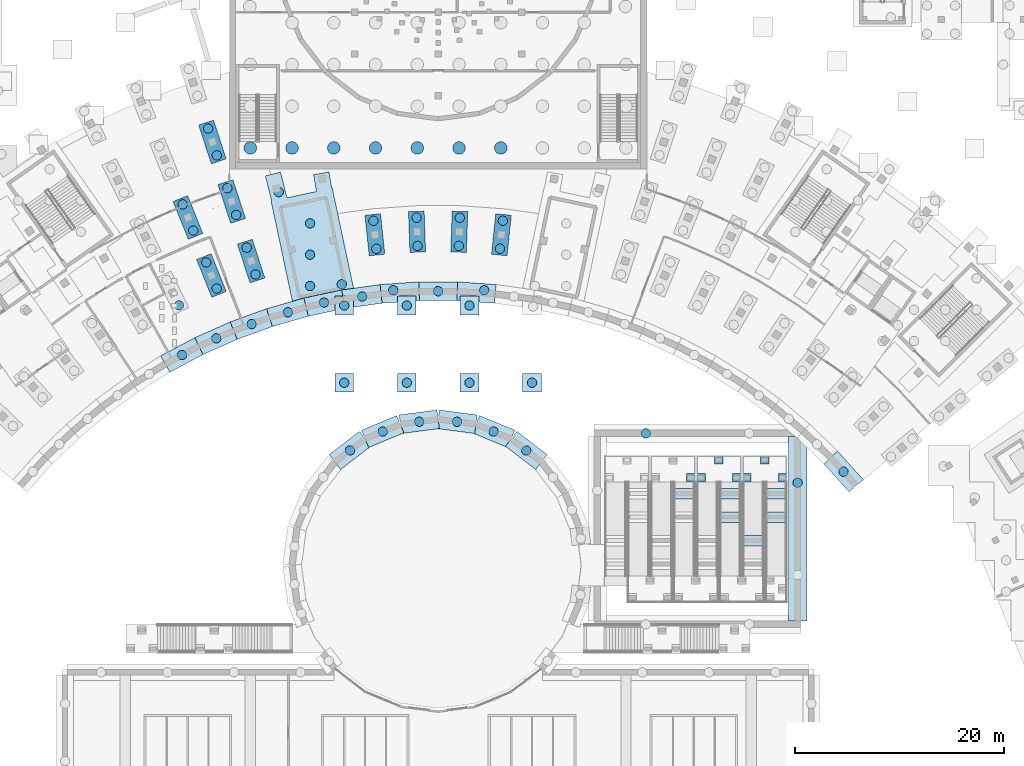
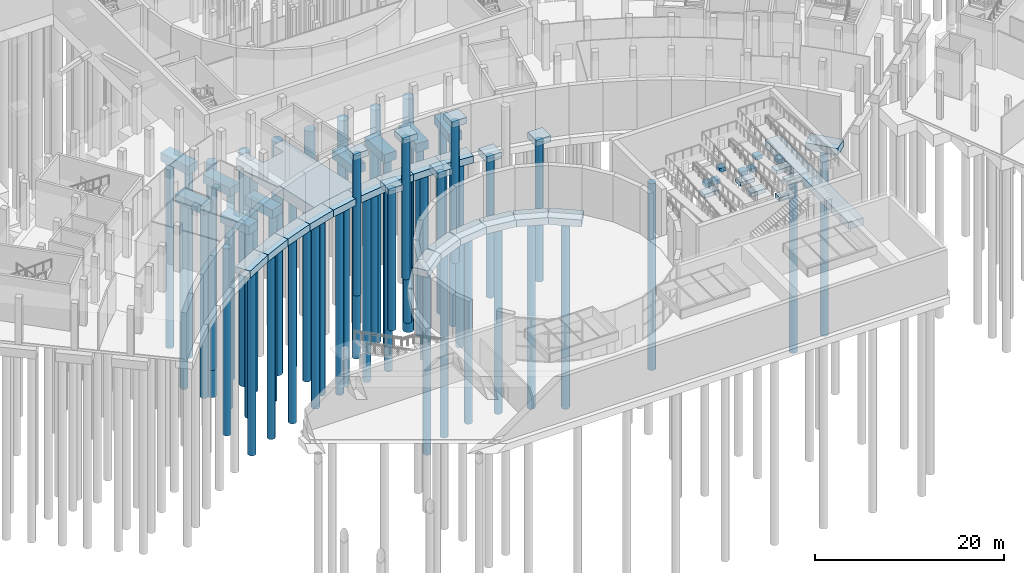
# One storey, part 3 of 66: 56 piles, 47 footings.
"""IFC4 building model written with IfcOpenShell, lengths in metres."""

from ifc_helpers import new_model, si_unit, direction, frame, origin, origin_2d, place, context, subcontext, project, spatial, polyline, circle, outline, extrude, material, material_profile, profile_set, type_object, element, save


model = new_model("IFC4")

# Units and contexts
model_context = context("Model", 3, precision=1e-05, world=origin(), true_north=direction((0.0, 1.0)))
body_context = subcontext(model_context, "Body", "Model", "MODEL_VIEW")
ifc_project = project(units=[si_unit("LENGTHUNIT", "METRE"), si_unit("AREAUNIT", "SQUARE_METRE"), si_unit("VOLUMEUNIT", "CUBIC_METRE"), si_unit("PLANEANGLEUNIT", "RADIAN"), si_unit("MASSUNIT", "GRAM", prefix="KILO")], contexts=[model_context])

# Site, building, storey
site_placement = place(None, origin())
site = spatial("IfcSite", under=ifc_project, at=site_placement, CompositionType="ELEMENT")
building_placement = place(site_placement, origin())
building = spatial("IfcBuilding", under=site, at=building_placement, Name="Lunette Opera House", CompositionType="ELEMENT")
storey_placement = place(building_placement, frame((0.0, 0.0, -6.0)))
storey = spatial("IfcBuildingStorey", under=building, at=storey_placement, Name="B1", CompositionType="ELEMENT", Elevation=-6.0)

# Piles
ifc_material_1 = material(Name="Concrete C40/50", Category="concrete")
ifc_material_profile_1 = material_profile(ifc_material_1, circle(Radius=0.60009765625, at=origin_2d()), Name="BORED PILE 1200")
ifc_profile_set_1 = profile_set([ifc_material_profile_1], Name="Concrete C40/50")
pile_type_1 = type_object("IfcPileType", Name="BORED PILE 1200", PredefinedType="BORED", material=ifc_profile_set_1)
for number, where, z_axis, x_axis, name in (
    (1, (78.0, 66.0, -1.800048828125), (0.0, 0.0, -1.0), (1.0, 0.0, 0.0), "pile-AU-R1-01"),
    (2, (82.0, 66.0, -1.800048828125), (0.0, 0.0, -1.0), (1.0, 0.0, 0.0), "pile-AU-R1-09"),
    (3, (86.0, 66.0, -1.800048828125), (0.0, 0.0, -1.0), (1.0, 0.0, 0.0), "pile-AU-R1-17"),
    (4, (90.0, 66.0, -1.800048828125), (0.0, 0.0, -1.0), (1.0, 0.0, 0.0), "pile-AU-R1-25"),
    (5, (94.0, 66.0, -1.800048828125), (0.0, 0.0, -1.0), (1.0, 0.0, 0.0), "pile-AU-R1-33"),
    (6, (98.0, 66.0, -1.800048828125), (0.0, 0.0, -1.0), (1.0, 0.0, 0.0), "pile-AU-R1-41"),
    (7, (102.0, 66.0, -1.800048828125), (0.0, 0.0, -1.0), (1.0, 0.0, 0.0), "pile-AU-R1-49"),
):
    element("IfcPile", number, at=place(storey_placement, frame(where, z_axis=z_axis, x_axis=x_axis)), inside=storey, type_object=pile_type_1, Name=name, PredefinedType="BORED", context=body_context, shape_type="SweptSolid", body=[
        extrude(circle(Radius=0.60009765625, at=origin_2d()), origin(), (0.0, 0.0, 1.0), 30.10009765625),
    ])
ifc_material_2 = material(Name="Concrete C40/50", Category="concrete")
ifc_material_profile_2 = material_profile(ifc_material_2, circle(Radius=0.449951171875, at=origin_2d()), Name="BORED PILE 900")
ifc_profile_set_2 = profile_set([ifc_material_profile_2], Name="Concrete C40/50")
pile_type_2 = type_object("IfcPileType", Name="BORED PILE 900", PredefinedType="BORED", material=ifc_profile_set_2)
for number, where, z_axis, x_axis, name in (
    (8, (71.166015625, 50.9169921875, -1.300048828125), (0.0, 0.0, -1.0), (1.0, 0.0, 0.0), "pile-FC-CAP007-A"),
    (9, (74.779052734375, 52.52490234375, -1.300048828125), (0.0, 0.0, -1.0), (1.0, 0.0, 0.0), "pile-FC-CAP008-A"),
    (10, (73.76708984375, 55.029052734375, -1.300048828125), (0.0, 0.0, -1.0), (1.0, 0.0, 0.0), "pile-FC-CAP008-B"),
    (11, (78.493896484375, 53.876953125, -1.300048828125), (0.0, 0.0, -1.0), (1.0, 0.0, 0.0), "pile-FC-CAP009-A"),
    (12, (77.659912109375, 56.445068359375, -1.300048828125), (0.0, 0.0, -1.0), (1.0, 0.0, 0.0), "pile-FC-CAP009-B"),
    (13, (90.077880859375, 56.339111328125, -1.300048828125), (0.0, 0.0, -1.0), (1.0, 0.0, 0.0), "pile-FC-CAP010-A"),
    (14, (89.7958984375, 59.02490234375, -1.300048828125), (0.0, 0.0, -1.0), (1.0, 0.0, 0.0), "pile-FC-CAP010-B"),
    (15, (94.02294921875, 56.615966796875, -1.300048828125), (0.0, 0.0, -1.0), (1.0, 0.0, 0.0), "pile-FC-CAP011-A"),
    (16, (93.928955078125, 59.31396484375, -1.300048828125), (0.0, 0.0, -1.0), (1.0, 0.0, 0.0), "pile-FC-CAP011-B"),
    (17, (97.97705078125, 56.615966796875, -1.300048828125), (0.0, 0.0, -1.0), (1.0, 0.0, 0.0), "pile-FC-CAP012-A"),
    (18, (98.071044921875, 59.31396484375, -1.300048828125), (0.0, 0.0, -1.0), (1.0, 0.0, 0.0), "pile-FC-CAP012-B"),
    (19, (101.922119140625, 56.339111328125, -1.300048828125), (0.0, 0.0, -1.0), (1.0, 0.0, 0.0), "pile-FC-CAP013-A"),
    (20, (102.2041015625, 59.02490234375, -1.300048828125), (0.0, 0.0, -1.0), (1.0, 0.0, 0.0), "pile-FC-CAP013-B"),
    (21, (72.531005859375, 58.087890625, -1.300048828125), (0.0, 0.0, -1.0), (1.0, 0.0, 0.0), "pile-FC-CAP025-A"),
    (22, (71.51904296875, 60.592041015625, -1.300048828125), (0.0, 0.0, -1.0), (1.0, 0.0, 0.0), "pile-FC-CAP025-B"),
    (23, (76.639892578125, 59.583984375, -1.300048828125), (0.0, 0.0, -1.0), (1.0, 0.0, 0.0), "pile-FC-CAP026-A"),
    (24, (75.805908203125, 62.152099609375, -1.300048828125), (0.0, 0.0, -1.0), (1.0, 0.0, 0.0), "pile-FC-CAP026-B"),
    (25, (74.785888671875, 65.2900390625, -1.300048828125), (0.0, 0.0, -1.0), (1.0, 0.0, 0.0), "pile-FC-CAP034-A"),
    (26, (73.951904296875, 67.85791015625, -1.300048828125), (0.0, 0.0, -1.0), (1.0, 0.0, 0.0), "pile-FC-CAP034-B"),
    (27, (80.72607421875, 61.77099609375, -1.699951171875), (0.0, 0.0, -1.0), (1.0, 0.0, 0.0), "pile-FC-RAFT04-01"),
    (28, (83.72607421875, 52.77099609375, -1.699951171875), (0.0, 0.0, -1.0), (1.0, 0.0, 0.0), "pile-FC-RAFT04-02"),
    (29, (83.72607421875, 55.77099609375, -1.699951171875), (0.0, 0.0, -1.0), (1.0, 0.0, 0.0), "pile-FC-RAFT04-03"),
    (30, (83.72607421875, 58.77099609375, -1.699951171875), (0.0, 0.0, -1.0), (1.0, 0.0, 0.0), "pile-FC-RAFT04-04"),
    (31, (86.76611328125, 52.93798828125, -1.699951171875), (0.0, 0.0, -1.0), (1.0, 0.0, 0.0), "pile-FC-RAFT04-05"),
    (32, (71.458984375, 46.155029296875, -1.10009765625), (0.0, 0.0, -1.0), (1.0, 0.0, 0.0), "pile-FC-SF06-A"),
    (33, (74.739013671875, 47.75390625, -1.10009765625), (0.0, 0.0, -1.0), (1.0, 0.0, 0.0), "pile-FC-SF07-A"),
    (34, (78.1220703125, 49.12109375, -1.10009765625), (0.0, 0.0, -1.0), (1.0, 0.0, 0.0), "pile-FC-SF08-A"),
    (35, (81.592041015625, 50.248046875, -1.10009765625), (0.0, 0.0, -1.0), (1.0, 0.0, 0.0), "pile-FC-SF09-A"),
    (36, (85.06201171875, 51.179931640625, -1.10009765625), (0.0, 0.0, -1.0), (1.0, 0.0, 0.0), "pile-FC-SF10-A"),
    (37, (88.72509765625, 51.764892578125, -1.10009765625), (0.0, 0.0, -1.0), (1.0, 0.0, 0.0), "pile-FC-SF11-A"),
    (38, (91.700927734375, 52.35693359375, -1.10009765625), (0.0, 0.0, -1.0), (1.0, 0.0, 0.0), "pile-FC-SF12-A"),
    (39, (96.0, 52.27392578125, -1.10009765625), (0.0, 0.0, -1.0), (1.0, 0.0, 0.0), "pile-FC-SF13-A"),
    (40, (100.4140625, 52.35693359375, -1.10009765625), (0.0, 0.0, -1.0), (1.0, 0.0, 0.0), "pile-FC-SF14-A"),
    (41, (134.846923828125, 34.97802734375, -1.10009765625), (0.0, 0.0, -1.0), (1.0, 0.0, 0.0), "pile-FC-SF25-A"),
):
    element("IfcPile", number, at=place(storey_placement, frame(where, z_axis=z_axis, x_axis=x_axis)), inside=storey, type_object=pile_type_2, Name=name, PredefinedType="BORED", context=body_context, shape_type="SweptSolid", body=[
        extrude(circle(Radius=0.449951171875, at=origin_2d()), origin(), (0.0, 0.0, 1.0), 24.10009765625),
    ])
for number, where, z_axis, x_axis, name in (
    (42, (87.0, 43.5, 5.199951171875), (0.0, 0.0, -1.0), (1.0, 0.0, 0.0), "pile-EC-PAD1-1"),
    (43, (93.0, 43.5, 5.199951171875), (0.0, 0.0, -1.0), (1.0, 0.0, 0.0), "pile-EC-PAD2-1"),
    (44, (99.0, 43.5, 5.199951171875), (0.0, 0.0, -1.0), (1.0, 0.0, 0.0), "pile-EC-PAD3-1"),
    (45, (105.0, 43.5, 5.199951171875), (0.0, 0.0, -1.0), (1.0, 0.0, 0.0), "pile-EC-PAD4-1"),
    (46, (87.0, 50.89990234375, 5.199951171875), (0.0, 0.0, -1.0), (1.0, 0.0, 0.0), "pile-EC-PAD5-1"),
    (47, (93.0, 50.89990234375, 5.199951171875), (0.0, 0.0, -1.0), (1.0, 0.0, 0.0), "pile-EC-PAD6-1"),
    (48, (99.0, 50.89990234375, 5.199951171875), (0.0, 0.0, -1.0), (1.0, 0.0, 0.0), "pile-EC-PAD7-1"),
):
    element("IfcPile", number, at=place(storey_placement, frame(where, z_axis=z_axis, x_axis=x_axis)), inside=storey, type_object=pile_type_2, Name=name, PredefinedType="BORED", context=body_context, shape_type="SweptSolid", body=[
        extrude(circle(Radius=0.449951171875, at=origin_2d()), origin(), (0.0, 0.0, 1.0), 18.10009765625),
    ])
for number, where, z_axis, x_axis, name in (
    (49, (97.81103515625, 39.760986328125, -1.10009765625), (0.0, 0.0, -1.0), (1.0, 0.0, 0.0), "pile-SF-SFCCW01-1"),
    (50, (101.31103515625, 38.823974609375, -1.10009765625), (0.0, 0.0, -1.0), (1.0, 0.0, 0.0), "pile-SF-SFCCW02-1"),
    (51, (104.449951171875, 37.010986328125, -1.10009765625), (0.0, 0.0, -1.0), (1.0, 0.0, 0.0), "pile-SF-SFCCW03-1"),
    (52, (87.550048828125, 37.010986328125, -1.10009765625), (0.0, 0.0, -1.0), (1.0, 0.0, 0.0), "pile-SF-SFCCW22-1"),
    (53, (90.68896484375, 38.823974609375, -1.10009765625), (0.0, 0.0, -1.0), (1.0, 0.0, 0.0), "pile-SF-SFCCW23-1"),
    (54, (94.18896484375, 39.760986328125, -1.10009765625), (0.0, 0.0, -1.0), (1.0, 0.0, 0.0), "pile-SF-SFCCW24-1"),
    (55, (115.89990234375, 38.64990234375, -1.10009765625), (0.0, 0.0, -1.0), (1.0, 0.0, 0.0), "pile-SF-SFCRPN-1"),
    (56, (130.449951171875, 33.925048828125, -1.10009765625), (0.0, 0.0, -1.0), (1.0, 0.0, 0.0), "pile-SF-SFCRPE-2"),
):
    element("IfcPile", number, at=place(storey_placement, frame(where, z_axis=z_axis, x_axis=x_axis)), inside=storey, type_object=pile_type_2, Name=name, PredefinedType="BORED", context=body_context, shape_type="SweptSolid", body=[
        extrude(circle(Radius=0.449951171875, at=origin_2d()), origin(), (0.0, 0.0, 1.0), 24.10009765625),
    ])

# Footings
ifc_material_3 = material(Name="Concrete C40/50", Category="concrete")
footing_type_1 = type_object("IfcFootingType", Name="CORE RAFT 1500", PredefinedType="PILE_CAP", material=ifc_material_3)
footing_1_placement = place(storey_placement, frame((0.0, 0.0, -1.800048828125)))
element("IfcFooting", 57, at=footing_1_placement, inside=storey, type_object=footing_type_1, Name="ftg-FC-RAFT04", PredefinedType="PILE_CAP", context=body_context, shape_type="SweptSolid", body=[
    extrude(outline(polyline([(79.988037109375, 60.902099609375), (82.1298828125, 50.825927734375), (87.9990234375, 52.073974609375), (85.85693359375, 62.14990234375), (85.804931640625, 62.138916015625), (85.530029296875, 63.699951171875), (84.052978515625, 63.43896484375), (84.3369140625, 61.826904296875), (81.508056640625, 61.22509765625), (80.89404296875, 63.68701171875), (79.43798828125, 63.323974609375), (80.0400390625, 60.9130859375), (79.988037109375, 60.902099609375)])), origin(), (0.0, 0.0, 1.0), 1.5),
])
ifc_material_4 = material(Name="Concrete C35/45", Category="concrete")
footing_type_2 = type_object("IfcFootingType", Name="PAD FOOTING 1800X1800", PredefinedType="PAD_FOOTING", material=ifc_material_4)
footing_2_placement = place(storey_placement, frame((0.0, 0.0, 5.10009765625)))
element("IfcFooting", 58, at=footing_2_placement, inside=storey, type_object=footing_type_2, Name="ftg-EC-PAD1", PredefinedType="PAD_FOOTING", context=body_context, shape_type="SweptSolid", body=[
    extrude(outline(polyline([(87.89990234375, 42.60009765625), (87.89990234375, 44.39990234375), (86.10009765625, 44.39990234375), (86.10009765625, 42.60009765625), (87.89990234375, 42.60009765625)])), origin(), (0.0, 0.0, 1.0), 0.7998046875),
])
footing_3_placement = place(storey_placement, frame((0.0, 0.0, 5.10009765625)))
element("IfcFooting", 59, at=footing_3_placement, inside=storey, type_object=footing_type_2, Name="ftg-EC-PAD2", PredefinedType="PAD_FOOTING", context=body_context, shape_type="SweptSolid", body=[
    extrude(outline(polyline([(93.89990234375, 42.60009765625), (93.89990234375, 44.39990234375), (92.10009765625, 44.39990234375), (92.10009765625, 42.60009765625), (93.89990234375, 42.60009765625)])), origin(), (0.0, 0.0, 1.0), 0.7998046875),
])
footing_4_placement = place(storey_placement, frame((0.0, 0.0, 5.10009765625)))
element("IfcFooting", 60, at=footing_4_placement, inside=storey, type_object=footing_type_2, Name="ftg-EC-PAD3", PredefinedType="PAD_FOOTING", context=body_context, shape_type="SweptSolid", body=[
    extrude(outline(polyline([(99.89990234375, 42.60009765625), (99.89990234375, 44.39990234375), (98.10009765625, 44.39990234375), (98.10009765625, 42.60009765625), (99.89990234375, 42.60009765625)])), origin(), (0.0, 0.0, 1.0), 0.7998046875),
])
footing_5_placement = place(storey_placement, frame((0.0, 0.0, 5.10009765625)))
element("IfcFooting", 61, at=footing_5_placement, inside=storey, type_object=footing_type_2, Name="ftg-EC-PAD4", PredefinedType="PAD_FOOTING", context=body_context, shape_type="SweptSolid", body=[
    extrude(outline(polyline([(105.89990234375, 42.60009765625), (105.89990234375, 44.39990234375), (104.10009765625, 44.39990234375), (104.10009765625, 42.60009765625), (105.89990234375, 42.60009765625)])), origin(), (0.0, 0.0, 1.0), 0.7998046875),
])
footing_6_placement = place(storey_placement, frame((0.0, 0.0, 5.10009765625)))
element("IfcFooting", 62, at=footing_6_placement, inside=storey, type_object=footing_type_2, Name="ftg-EC-PAD5", PredefinedType="PAD_FOOTING", context=body_context, shape_type="SweptSolid", body=[
    extrude(outline(polyline([(87.89990234375, 50.0), (87.89990234375, 51.800048828125), (86.10009765625, 51.800048828125), (86.10009765625, 50.0), (87.89990234375, 50.0)])), origin(), (0.0, 0.0, 1.0), 0.7998046875),
])
footing_7_placement = place(storey_placement, frame((0.0, 0.0, 5.10009765625)))
element("IfcFooting", 63, at=footing_7_placement, inside=storey, type_object=footing_type_2, Name="ftg-EC-PAD6", PredefinedType="PAD_FOOTING", context=body_context, shape_type="SweptSolid", body=[
    extrude(outline(polyline([(93.89990234375, 50.0), (93.89990234375, 51.800048828125), (92.10009765625, 51.800048828125), (92.10009765625, 50.0), (93.89990234375, 50.0)])), origin(), (0.0, 0.0, 1.0), 0.7998046875),
])
footing_8_placement = place(storey_placement, frame((0.0, 0.0, 5.10009765625)))
element("IfcFooting", 64, at=footing_8_placement, inside=storey, type_object=footing_type_2, Name="ftg-EC-PAD7", PredefinedType="PAD_FOOTING", context=body_context, shape_type="SweptSolid", body=[
    extrude(outline(polyline([(99.89990234375, 50.0), (99.89990234375, 51.800048828125), (98.10009765625, 51.800048828125), (98.10009765625, 50.0), (99.89990234375, 50.0)])), origin(), (0.0, 0.0, 1.0), 0.7998046875),
])
ifc_material_5 = material(Name="Concrete C40/50", Category="concrete")
footing_type_3 = type_object("IfcFootingType", Name="PILE CAP 3900X1500", PredefinedType="PILE_CAP", material=ifc_material_5)
footing_9_placement = place(storey_placement, frame((0.0, 0.0, -1.39990234375)))
element("IfcFooting", 65, at=footing_9_placement, inside=storey, type_object=footing_type_3, Name="ftg-FC-CAP008", PredefinedType="PILE_CAP", context=body_context, shape_type="SweptSolid", body=[
    extrude(outline(polyline([(74.30810546875, 51.68798828125), (75.698974609375, 52.25), (74.238037109375, 55.865966796875), (72.846923828125, 55.303955078125), (74.30810546875, 51.68798828125)])), origin(), (0.0, 0.0, 1.0), 1.099853515625),
])
footing_10_placement = place(storey_placement, frame((0.0, 0.0, -1.39990234375)))
element("IfcFooting", 66, at=footing_10_placement, inside=storey, type_object=footing_type_3, Name="ftg-FC-CAP009", PredefinedType="PILE_CAP", context=body_context, shape_type="SweptSolid", body=[
    extrude(outline(polyline([(77.966064453125, 53.074951171875), (79.39306640625, 53.5380859375), (78.18798828125, 57.2470703125), (76.760986328125, 56.783935546875), (77.966064453125, 53.074951171875)])), origin(), (0.0, 0.0, 1.0), 1.099853515625),
])
footing_11_placement = place(storey_placement, frame((0.0, 0.0, -1.39990234375)))
element("IfcFooting", 67, at=footing_11_placement, inside=storey, type_object=footing_type_3, Name="ftg-FC-CAP010", PredefinedType="PILE_CAP", context=body_context, shape_type="SweptSolid", body=[
    extrude(outline(polyline([(89.39501953125, 55.6640625), (90.886962890625, 55.821044921875), (90.47900390625, 59.699951171875), (88.987060546875, 59.54296875), (89.39501953125, 55.6640625)])), origin(), (0.0, 0.0, 1.0), 1.099853515625),
])
footing_12_placement = place(storey_placement, frame((0.0, 0.0, -1.39990234375)))
element("IfcFooting", 68, at=footing_12_placement, inside=storey, type_object=footing_type_3, Name="ftg-FC-CAP011", PredefinedType="PILE_CAP", context=body_context, shape_type="SweptSolid", body=[
    extrude(outline(polyline([(93.294921875, 55.989990234375), (94.7939453125, 56.0419921875), (94.656982421875, 59.93994140625), (93.157958984375, 59.887939453125), (93.294921875, 55.989990234375)])), origin(), (0.0, 0.0, 1.0), 1.099853515625),
])
footing_13_placement = place(storey_placement, frame((0.0, 0.0, -1.39990234375)))
element("IfcFooting", 69, at=footing_13_placement, inside=storey, type_object=footing_type_3, Name="ftg-FC-CAP012", PredefinedType="PILE_CAP", context=body_context, shape_type="SweptSolid", body=[
    extrude(outline(polyline([(97.2060546875, 56.0419921875), (98.705078125, 55.989990234375), (98.842041015625, 59.887939453125), (97.343017578125, 59.93994140625), (97.2060546875, 56.0419921875)])), origin(), (0.0, 0.0, 1.0), 1.099853515625),
])
footing_14_placement = place(storey_placement, frame((0.0, 0.0, -1.39990234375)))
element("IfcFooting", 70, at=footing_14_placement, inside=storey, type_object=footing_type_3, Name="ftg-FC-CAP013", PredefinedType="PILE_CAP", context=body_context, shape_type="SweptSolid", body=[
    extrude(outline(polyline([(101.113037109375, 55.821044921875), (102.60498046875, 55.6640625), (103.012939453125, 59.54296875), (101.52099609375, 59.699951171875), (101.113037109375, 55.821044921875)])), origin(), (0.0, 0.0, 1.0), 1.099853515625),
])
footing_15_placement = place(storey_placement, frame((0.0, 0.0, -1.39990234375)))
element("IfcFooting", 71, at=footing_15_placement, inside=storey, type_object=footing_type_3, Name="ftg-FC-CAP025", PredefinedType="PILE_CAP", context=body_context, shape_type="SweptSolid", body=[
    extrude(outline(polyline([(72.06005859375, 57.2509765625), (73.450927734375, 57.81298828125), (71.989990234375, 61.428955078125), (70.59912109375, 60.866943359375), (72.06005859375, 57.2509765625)])), origin(), (0.0, 0.0, 1.0), 1.099853515625),
])
footing_16_placement = place(storey_placement, frame((0.0, 0.0, -1.39990234375)))
element("IfcFooting", 72, at=footing_16_placement, inside=storey, type_object=footing_type_3, Name="ftg-FC-CAP026", PredefinedType="PILE_CAP", context=body_context, shape_type="SweptSolid", body=[
    extrude(outline(polyline([(76.112060546875, 58.781982421875), (77.5390625, 59.2451171875), (76.333984375, 62.9541015625), (74.906982421875, 62.490966796875), (76.112060546875, 58.781982421875)])), origin(), (0.0, 0.0, 1.0), 1.099853515625),
])
footing_17_placement = place(storey_placement, frame((0.0, 0.0, -1.39990234375)))
element("IfcFooting", 73, at=footing_17_placement, inside=storey, type_object=footing_type_3, Name="ftg-FC-CAP034", PredefinedType="PILE_CAP", context=body_context, shape_type="SweptSolid", body=[
    extrude(outline(polyline([(74.258056640625, 64.488037109375), (75.68505859375, 64.950927734375), (74.47998046875, 68.659912109375), (73.052978515625, 68.197021484375), (74.258056640625, 64.488037109375)])), origin(), (0.0, 0.0, 1.0), 1.099853515625),
])
ifc_material_6 = material(Name="Concrete C35/45", Category="concrete")
footing_type_4 = type_object("IfcFootingType", Name="RAMP PIER FOOTING", PredefinedType="PAD_FOOTING", material=ifc_material_6)
footing_18_placement = place(storey_placement, frame((0.0, 0.0, -0.5)))
element("IfcFooting", 74, at=footing_18_placement, inside=storey, type_object=footing_type_4, Name="Bearing pier footing FR3-L-P2", PredefinedType="PAD_FOOTING", context=body_context, shape_type="SweptSolid", body=[
    extrude(outline(polyline([(119.800048828125, 34.0), (120.60009765625, 34.0), (120.60009765625, 34.800048828125), (119.800048828125, 34.800048828125), (119.800048828125, 34.0)])), origin(), (0.0, 0.0, 1.0), 0.5),
])
footing_19_placement = place(storey_placement, frame((0.0, 0.0, -0.5)))
element("IfcFooting", 75, at=footing_19_placement, inside=storey, type_object=footing_type_4, Name="Bearing pier footing FR4-R1", PredefinedType="PAD_FOOTING", context=body_context, shape_type="SweptSolid", body=[
    extrude(outline(polyline([(118.699951171875, 32.375), (120.5, 32.375), (120.5, 33.375), (118.699951171875, 33.375), (118.699951171875, 32.375)])), origin(), (0.0, 0.0, 1.0), 0.5),
])
footing_20_placement = place(storey_placement, frame((0.0, 0.0, -0.5)))
element("IfcFooting", 76, at=footing_20_placement, inside=storey, type_object=footing_type_4, Name="Bearing pier footing FR5-L-P1", PredefinedType="PAD_FOOTING", context=body_context, shape_type="SweptSolid", body=[
    extrude(outline(polyline([(120.800048828125, 34.0), (121.60009765625, 34.0), (121.60009765625, 34.800048828125), (120.800048828125, 34.800048828125), (120.800048828125, 34.0)])), origin(), (0.0, 0.0, 1.0), 0.5),
])
footing_21_placement = place(storey_placement, frame((0.0, 0.0, -0.5)))
element("IfcFooting", 77, at=footing_21_placement, inside=storey, type_object=footing_type_4, Name="Bearing pier footing FR5-L-P2", PredefinedType="PAD_FOOTING", context=body_context, shape_type="SweptSolid", body=[
    extrude(outline(polyline([(124.199951171875, 34.0), (125.0, 34.0), (125.0, 34.800048828125), (124.199951171875, 34.800048828125), (124.199951171875, 34.0)])), origin(), (0.0, 0.0, 1.0), 0.5),
])
footing_22_placement = place(storey_placement, frame((0.0, 0.0, -0.5)))
element("IfcFooting", 78, at=footing_22_placement, inside=storey, type_object=footing_type_4, Name="Bearing pier footing FR5-L-P3", PredefinedType="PAD_FOOTING", context=body_context, shape_type="SweptSolid", body=[
    extrude(outline(polyline([(122.5, 35.699951171875), (123.300048828125, 35.699951171875), (123.300048828125, 36.5), (122.5, 36.5), (122.5, 35.699951171875)])), origin(), (0.0, 0.0, 1.0), 0.5),
])
footing_23_placement = place(storey_placement, frame((0.0, 0.0, -0.5)))
element("IfcFooting", 79, at=footing_23_placement, inside=storey, type_object=footing_type_4, Name="Bearing pier footing FR6-R1", PredefinedType="PAD_FOOTING", context=body_context, shape_type="SweptSolid", body=[
    extrude(outline(polyline([(123.10009765625, 32.375), (124.89990234375, 32.375), (124.89990234375, 33.375), (123.10009765625, 33.375), (123.10009765625, 32.375)])), origin(), (0.0, 0.0, 1.0), 0.5),
])
footing_24_placement = place(storey_placement, frame((0.0, 0.0, -0.5)))
element("IfcFooting", 80, at=footing_24_placement, inside=storey, type_object=footing_type_4, Name="Bearing pier footing FR6-R2", PredefinedType="PAD_FOOTING", context=body_context, shape_type="SweptSolid", body=[
    extrude(outline(polyline([(123.10009765625, 30.125), (124.89990234375, 30.125), (124.89990234375, 31.125), (123.10009765625, 31.125), (123.10009765625, 30.125)])), origin(), (0.0, 0.0, 1.0), 0.5),
])
footing_25_placement = place(storey_placement, frame((0.0, 0.0, -0.5)))
element("IfcFooting", 81, at=footing_25_placement, inside=storey, type_object=footing_type_4, Name="Bearing pier footing FR7-R2", PredefinedType="PAD_FOOTING", context=body_context, shape_type="SweptSolid", body=[
    extrude(outline(polyline([(125.300048828125, 27.875), (127.10009765625, 27.875), (127.10009765625, 28.875), (125.300048828125, 28.875), (125.300048828125, 27.875)])), origin(), (0.0, 0.0, 1.0), 0.5),
])
footing_26_placement = place(storey_placement, frame((0.0, 0.0, -0.5)))
element("IfcFooting", 82, at=footing_26_placement, inside=storey, type_object=footing_type_4, Name="Bearing pier footing FR7-L-P1", PredefinedType="PAD_FOOTING", context=body_context, shape_type="SweptSolid", body=[
    extrude(outline(polyline([(125.199951171875, 34.0), (126.0, 34.0), (126.0, 34.800048828125), (125.199951171875, 34.800048828125), (125.199951171875, 34.0)])), origin(), (0.0, 0.0, 1.0), 0.5),
])
footing_27_placement = place(storey_placement, frame((0.0, 0.0, -0.5)))
element("IfcFooting", 83, at=footing_27_placement, inside=storey, type_object=footing_type_4, Name="Bearing pier footing FR7-L-P2", PredefinedType="PAD_FOOTING", context=body_context, shape_type="SweptSolid", body=[
    extrude(outline(polyline([(128.60009765625, 34.0), (129.39990234375, 34.0), (129.39990234375, 34.800048828125), (128.60009765625, 34.800048828125), (128.60009765625, 34.0)])), origin(), (0.0, 0.0, 1.0), 0.5),
])
footing_28_placement = place(storey_placement, frame((0.0, 0.0, -0.5)))
element("IfcFooting", 84, at=footing_28_placement, inside=storey, type_object=footing_type_4, Name="Bearing pier footing FR7-L-P3", PredefinedType="PAD_FOOTING", context=body_context, shape_type="SweptSolid", body=[
    extrude(outline(polyline([(126.89990234375, 35.699951171875), (127.699951171875, 35.699951171875), (127.699951171875, 36.5), (126.89990234375, 36.5), (126.89990234375, 35.699951171875)])), origin(), (0.0, 0.0, 1.0), 0.5),
])
footing_29_placement = place(storey_placement, frame((0.0, 0.0, -0.5)))
element("IfcFooting", 85, at=footing_29_placement, inside=storey, type_object=footing_type_4, Name="Bearing pier footing FR8-R1", PredefinedType="PAD_FOOTING", context=body_context, shape_type="SweptSolid", body=[
    extrude(outline(polyline([(127.5, 32.375), (129.300048828125, 32.375), (129.300048828125, 33.375), (127.5, 33.375), (127.5, 32.375)])), origin(), (0.0, 0.0, 1.0), 0.5),
])
footing_30_placement = place(storey_placement, frame((0.0, 0.0, -0.5)))
element("IfcFooting", 86, at=footing_30_placement, inside=storey, type_object=footing_type_4, Name="Bearing pier footing FR8-R2", PredefinedType="PAD_FOOTING", context=body_context, shape_type="SweptSolid", body=[
    extrude(outline(polyline([(127.5, 30.125), (129.300048828125, 30.125), (129.300048828125, 31.125), (127.5, 31.125), (127.5, 30.125)])), origin(), (0.0, 0.0, 1.0), 0.5),
])
ifc_material_7 = material(Name="Concrete C35/45", Category="concrete")
footing_type_5 = type_object("IfcFootingType", Name="STRIP FOOTING 1800X900", PredefinedType="STRIP_FOOTING", material=ifc_material_7)
footing_31_placement = place(storey_placement, frame((0.0, 0.0, -1.199951171875)))
element("IfcFooting", 87, at=footing_31_placement, inside=storey, type_object=footing_type_5, Name="ftg-FC-SF06", PredefinedType="STRIP_FOOTING", context=body_context, shape_type="SweptSolid", body=[
    extrude(outline(polyline([(70.300048828125, 44.513916015625), (73.468017578125, 46.197998046875), (72.678955078125, 47.81591796875), (69.39990234375, 46.072998046875), (70.300048828125, 44.513916015625)])), origin(), (0.0, 0.0, 1.0), 0.89990234375),
])
footing_32_placement = place(storey_placement, frame((0.0, 0.0, -1.199951171875)))
element("IfcFooting", 88, at=footing_32_placement, inside=storey, type_object=footing_type_5, Name="ftg-FC-SF07", PredefinedType="STRIP_FOOTING", context=body_context, shape_type="SweptSolid", body=[
    extrude(outline(polyline([(73.468017578125, 46.197998046875), (76.7451171875, 47.656982421875), (76.071044921875, 49.325927734375), (72.678955078125, 47.81591796875), (73.468017578125, 46.197998046875)])), origin(), (0.0, 0.0, 1.0), 0.89990234375),
])
footing_33_placement = place(storey_placement, frame((0.0, 0.0, -1.199951171875)))
element("IfcFooting", 89, at=footing_33_placement, inside=storey, type_object=footing_type_5, Name="ftg-FC-SF08", PredefinedType="STRIP_FOOTING", context=body_context, shape_type="SweptSolid", body=[
    extrude(outline(polyline([(76.7451171875, 47.656982421875), (80.116943359375, 48.884033203125), (79.56005859375, 50.595947265625), (76.071044921875, 49.325927734375), (76.7451171875, 47.656982421875)])), origin(), (0.0, 0.0, 1.0), 0.89990234375),
])
footing_34_placement = place(storey_placement, frame((0.0, 0.0, -1.199951171875)))
element("IfcFooting", 90, at=footing_34_placement, inside=storey, type_object=footing_type_5, Name="ftg-FC-SF09", PredefinedType="STRIP_FOOTING", context=body_context, shape_type="SweptSolid", body=[
    extrude(outline(polyline([(80.116943359375, 48.884033203125), (83.56494140625, 49.873046875), (83.1298828125, 51.6201171875), (79.56005859375, 50.595947265625), (80.116943359375, 48.884033203125)])), origin(), (0.0, 0.0, 1.0), 0.89990234375),
])
footing_35_placement = place(storey_placement, frame((0.0, 0.0, -1.199951171875)))
element("IfcFooting", 91, at=footing_35_placement, inside=storey, type_object=footing_type_5, Name="ftg-FC-SF10", PredefinedType="STRIP_FOOTING", context=body_context, shape_type="SweptSolid", body=[
    extrude(outline(polyline([(83.56494140625, 49.873046875), (87.073974609375, 50.618896484375), (86.761962890625, 52.39208984375), (83.1298828125, 51.6201171875), (83.56494140625, 49.873046875)])), origin(), (0.0, 0.0, 1.0), 0.89990234375),
])
footing_36_placement = place(storey_placement, frame((0.0, 0.0, -1.199951171875)))
element("IfcFooting", 92, at=footing_36_placement, inside=storey, type_object=footing_type_5, Name="ftg-FC-SF11", PredefinedType="STRIP_FOOTING", context=body_context, shape_type="SweptSolid", body=[
    extrude(outline(polyline([(87.073974609375, 50.618896484375), (90.626953125, 51.117919921875), (90.43896484375, 52.908935546875), (86.761962890625, 52.39208984375), (87.073974609375, 50.618896484375)])), origin(), (0.0, 0.0, 1.0), 0.89990234375),
])
footing_37_placement = place(storey_placement, frame((0.0, 0.0, -1.199951171875)))
element("IfcFooting", 93, at=footing_37_placement, inside=storey, type_object=footing_type_5, Name="ftg-FC-SF12", PredefinedType="STRIP_FOOTING", context=body_context, shape_type="SweptSolid", body=[
    extrude(outline(polyline([(90.626953125, 51.117919921875), (94.2060546875, 51.368896484375), (94.14306640625, 53.16796875), (90.43896484375, 52.908935546875), (90.626953125, 51.117919921875)])), origin(), (0.0, 0.0, 1.0), 0.89990234375),
])
footing_38_placement = place(storey_placement, frame((0.0, 0.0, -1.199951171875)))
element("IfcFooting", 94, at=footing_38_placement, inside=storey, type_object=footing_type_5, Name="ftg-FC-SF13", PredefinedType="STRIP_FOOTING", context=body_context, shape_type="SweptSolid", body=[
    extrude(outline(polyline([(94.2060546875, 51.368896484375), (97.7939453125, 51.368896484375), (97.85693359375, 53.16796875), (94.14306640625, 53.16796875), (94.2060546875, 51.368896484375)])), origin(), (0.0, 0.0, 1.0), 0.89990234375),
])
footing_39_placement = place(storey_placement, frame((0.0, 0.0, -1.199951171875)))
element("IfcFooting", 95, at=footing_39_placement, inside=storey, type_object=footing_type_5, Name="ftg-FC-SF14", PredefinedType="STRIP_FOOTING", context=body_context, shape_type="SweptSolid", body=[
    extrude(outline(polyline([(97.7939453125, 51.368896484375), (101.373046875, 51.117919921875), (101.56103515625, 52.908935546875), (97.85693359375, 53.16796875), (97.7939453125, 51.368896484375)])), origin(), (0.0, 0.0, 1.0), 0.89990234375),
])
footing_40_placement = place(storey_placement, frame((0.0, 0.0, -1.199951171875)))
element("IfcFooting", 96, at=footing_40_placement, inside=storey, type_object=footing_type_5, Name="ftg-FC-SF25", PredefinedType="STRIP_FOOTING", context=body_context, shape_type="SweptSolid", body=[
    extrude(outline(polyline([(132.97412109375, 35.705078125), (135.375, 33.0390625), (136.75390625, 34.196044921875), (134.26904296875, 36.9560546875), (132.97412109375, 35.705078125)])), origin(), (0.0, 0.0, 1.0), 0.89990234375),
])
footing_41_placement = place(storey_placement, frame((0.0, 0.0, -1.199951171875)))
element("IfcFooting", 97, at=footing_41_placement, inside=storey, type_object=footing_type_5, Name="ftg-SF-SFCCW01", PredefinedType="STRIP_FOOTING", context=body_context, shape_type="SweptSolid", body=[
    extrude(outline(polyline([(96.116943359375, 40.89208984375), (95.883056640625, 39.10791015625), (99.506103515625, 38.631103515625), (99.739990234375, 40.4150390625), (96.116943359375, 40.89208984375)])), origin(), (0.0, 0.0, 1.0), 0.89990234375),
])
footing_42_placement = place(storey_placement, frame((0.0, 0.0, -1.199951171875)))
element("IfcFooting", 98, at=footing_42_placement, inside=storey, type_object=footing_type_5, Name="ftg-SF-SFCCW02", PredefinedType="STRIP_FOOTING", context=body_context, shape_type="SweptSolid", body=[
    extrude(outline(polyline([(99.967041015625, 40.35400390625), (99.279052734375, 38.69189453125), (102.656005859375, 37.29296875), (103.343994140625, 38.955078125), (99.967041015625, 40.35400390625)])), origin(), (0.0, 0.0, 1.0), 0.89990234375),
])
footing_43_placement = place(storey_placement, frame((0.0, 0.0, -1.199951171875)))
element("IfcFooting", 99, at=footing_43_placement, inside=storey, type_object=footing_type_5, Name="ftg-SF-SFCCW03", PredefinedType="STRIP_FOOTING", context=body_context, shape_type="SweptSolid", body=[
    extrude(outline(polyline([(103.548095703125, 38.837890625), (102.451904296875, 37.409912109375), (105.35107421875, 35.18505859375), (106.447021484375, 36.613037109375), (103.548095703125, 38.837890625)])), origin(), (0.0, 0.0, 1.0), 0.89990234375),
])
footing_44_placement = place(storey_placement, frame((0.0, 0.0, -1.199951171875)))
element("IfcFooting", 100, at=footing_44_placement, inside=storey, type_object=footing_type_5, Name="ftg-SF-SFCCW22", PredefinedType="STRIP_FOOTING", context=body_context, shape_type="SweptSolid", body=[
    extrude(outline(polyline([(85.552978515625, 36.613037109375), (86.64892578125, 35.18505859375), (89.548095703125, 37.409912109375), (88.451904296875, 38.837890625), (85.552978515625, 36.613037109375)])), origin(), (0.0, 0.0, 1.0), 0.89990234375),
])
footing_45_placement = place(storey_placement, frame((0.0, 0.0, -1.199951171875)))
element("IfcFooting", 101, at=footing_45_placement, inside=storey, type_object=footing_type_5, Name="ftg-SF-SFCCW23", PredefinedType="STRIP_FOOTING", context=body_context, shape_type="SweptSolid", body=[
    extrude(outline(polyline([(88.656005859375, 38.955078125), (89.343994140625, 37.29296875), (92.720947265625, 38.69189453125), (92.032958984375, 40.35400390625), (88.656005859375, 38.955078125)])), origin(), (0.0, 0.0, 1.0), 0.89990234375),
])
footing_46_placement = place(storey_placement, frame((0.0, 0.0, -1.199951171875)))
element("IfcFooting", 102, at=footing_46_placement, inside=storey, type_object=footing_type_5, Name="ftg-SF-SFCCW24", PredefinedType="STRIP_FOOTING", context=body_context, shape_type="SweptSolid", body=[
    extrude(outline(polyline([(92.260009765625, 40.4150390625), (92.493896484375, 38.631103515625), (96.116943359375, 39.10791015625), (95.883056640625, 40.89208984375), (92.260009765625, 40.4150390625)])), origin(), (0.0, 0.0, 1.0), 0.89990234375),
])
footing_47_placement = place(storey_placement, frame((0.0, 0.0, -1.199951171875)))
element("IfcFooting", 103, at=footing_47_placement, inside=storey, type_object=footing_type_5, Name="ftg-SF-SFCRPE", PredefinedType="STRIP_FOOTING", context=body_context, shape_type="SweptSolid", body=[
    extrude(outline(polyline([(129.550048828125, 20.64990234375), (131.35009765625, 20.64990234375), (131.35009765625, 38.35009765625), (129.550048828125, 38.35009765625), (129.550048828125, 20.64990234375)])), origin(), (0.0, 0.0, 1.0), 0.89990234375),
])

save(model, "model.ifc")
